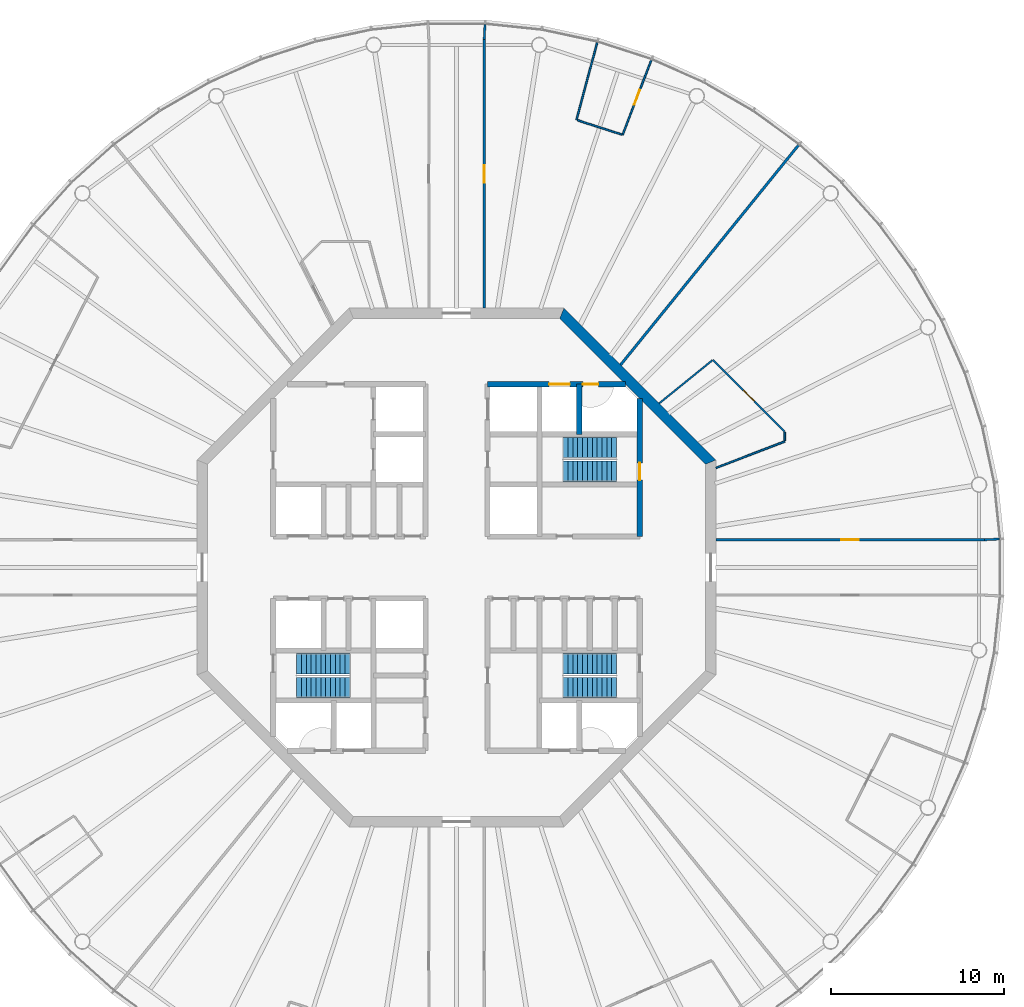
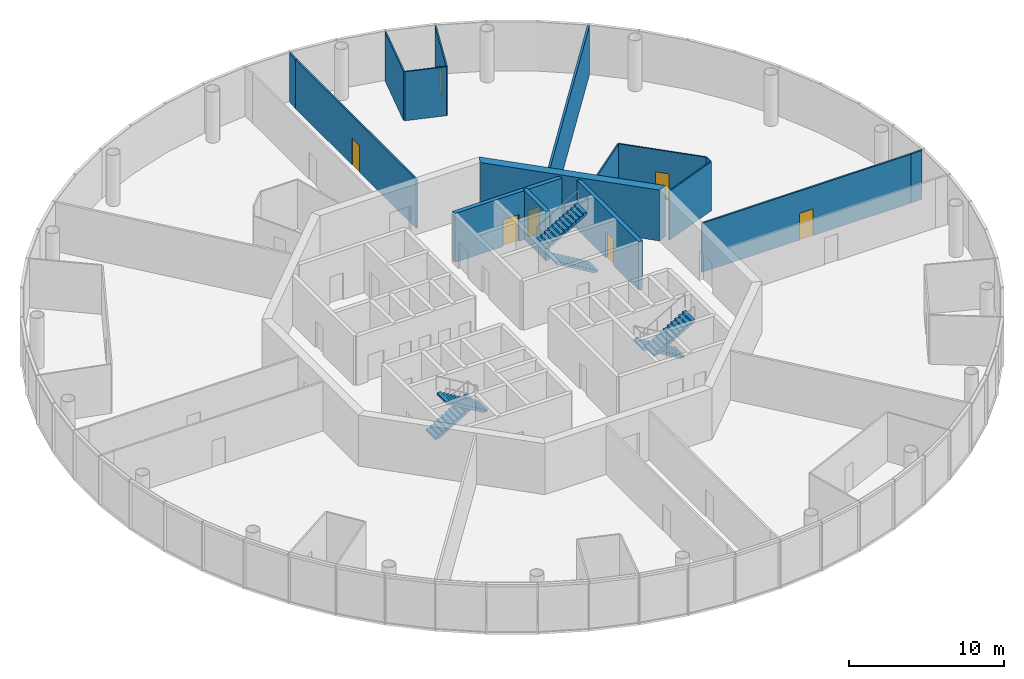
# One storey, part 6 of 13: 16 walls, 7 doors, 6 stair flights, 7 openings, 3 elements without a shape of their own.
"""IFC4 building model written with IfcOpenShell, lengths in metres."""

from ifc_helpers import new_model, si_unit, direction, frame, frame_2d, origin, place, context, subcontext, project, spatial, polyline, rectangle, outline, extrude, material, layer, layer_set, type_object, element, fill, aggregate, save


model = new_model("IFC4")

# Units and contexts
model_context = context("Model", 3, precision=1e-05, world=origin(), true_north=direction((0.0, 1.0)))
body_context = subcontext(model_context, "Body", "Model", "MODEL_VIEW")
ifc_project = project(units=[si_unit("LENGTHUNIT", "METRE"), si_unit("AREAUNIT", "SQUARE_METRE"), si_unit("VOLUMEUNIT", "CUBIC_METRE"), si_unit("PLANEANGLEUNIT", "RADIAN"), si_unit("MASSUNIT", "GRAM", prefix="KILO")], contexts=[model_context])

# Site, building, storey
site_placement = place(None, origin())
site = spatial("IfcSite", under=ifc_project, at=site_placement, CompositionType="ELEMENT")
building_placement = place(site_placement, origin())
building = spatial("IfcBuilding", under=site, at=building_placement, Name="Entoto Ring Tower", CompositionType="ELEMENT")
storey_placement = place(building_placement, frame((0.0, 0.0, 384.0)))
storey = spatial("IfcBuildingStorey", under=building, at=storey_placement, Name="L89", CompositionType="ELEMENT", Elevation=384.0)

# Wall, opening, door
ifc_material_1 = material(Name="Concrete C40/50", Category="concrete")
ifc_layer_1 = layer(ifc_material_1, 0.300048828125)
ifc_layer_set_1 = layer_set([ifc_layer_1], Name="Concrete C40/50")
wall_type_1 = type_object("IfcWallType", Name="Core enclosure wall 300 mm reinforced concrete", PredefinedType="SOLIDWALL", material=ifc_layer_set_1)
wall_1_placement = place(storey_placement, frame((100.60009765625, 81.800048828125, 0.0), z_axis=(0.0, 0.0, 1.0), x_axis=(0.0, 1.0, 0.0)))
wall_1 = element("IfcWall", 1, at=wall_1_placement, inside=storey, type_object=wall_type_1, Name="wall-L89-002", PredefinedType="SOLIDWALL", context=body_context, shape_type="SweptSolid", body=[
    extrude(rectangle(XDim=7.964599609375, YDim=0.300048828125, at=frame_2d((3.982421875, 0.0))), origin(), (0.0, 0.0, 1.0), 3.85009765625),
])
opening_1_placement = place(wall_1_placement, frame((3.25, 0.0, 0.0)))
opening_1 = element("IfcOpeningElement", 2, at=opening_1_placement, cuts=wall_1, Name="Opening K-29", PredefinedType="OPENING", context=body_context, shape_type="SweptSolid", body=[
    extrude(rectangle(XDim=1.0, YDim=2.10009765625, at=frame_2d((0.5, 1.050048828125))), frame((0.0, 0.16015625, 0.0), z_axis=(0.0, -1.0, 0.0), x_axis=(1.0, 0.0, 0.0)), (0.0, 0.0, 1.0), 0.320068359375),
])
ifc_material_2 = material(Name="Steel door leaf, fire rated", Category="steel")
ifc_layer_2 = layer(ifc_material_2, 0.050048828125)
ifc_layer_set_2 = layer_set([ifc_layer_2], Name="Steel door leaf, fire rated")
door_type_1 = type_object("IfcDoorType", Name="Fire door FD60 1000 x 2100 single leaf", OperationType="NOTDEFINED", PredefinedType="DOOR", material=ifc_layer_set_2)
door_1_placement = place(opening_1_placement, origin())
door_1 = element("IfcDoor", 3, at=door_1_placement, inside=storey, type_object=door_type_1, Name="Door K-29", OperationType="SINGLE_SWING_LEFT", OverallHeight=2.10009765625, OverallWidth=1.0, PredefinedType="DOOR", context=body_context, shape_type="SweptSolid", body=[
    extrude(rectangle(XDim=1.0, YDim=2.10009765625, at=frame_2d((0.5, 1.050048828125))), frame((0.0, 0.02490234375, 0.0), z_axis=(0.0, -1.0, 0.0), x_axis=(1.0, 0.0, 0.0)), (0.0, 0.0, 1.0), 0.050048828125),
])
fill(opening_1, door_1)

# Wall
wall_2_placement = place(storey_placement, frame((97.10009765625, 87.699951171875, 0.0), z_axis=(0.0, 0.0, 1.0), x_axis=(0.0, 1.0, 0.0)))
element("IfcWall", 4, at=wall_2_placement, inside=storey, type_object=wall_type_1, Name="wall-L89-006", PredefinedType="SOLIDWALL", context=body_context, shape_type="SweptSolid", body=[
    extrude(rectangle(XDim=2.900146484375, YDim=0.300048828125, at=frame_2d((1.4501953125, 0.0))), origin(), (0.0, 0.0, 1.0), 3.85009765625),
])

# Wall, openings, doors
wall_3_placement = place(storey_placement, frame((91.800048828125, 90.60009765625, 0.0), z_axis=(0.0, 0.0, 1.0), x_axis=(1.0, 0.0, 0.0)))
wall_3 = element("IfcWall", 5, at=wall_3_placement, inside=storey, type_object=wall_type_1, Name="wall-L89-041", PredefinedType="SOLIDWALL", context=body_context, shape_type="SweptSolid", body=[
    extrude(rectangle(XDim=7.964599609375, YDim=0.300048828125, at=frame_2d((3.982421875, 0.0))), origin(), (0.0, 0.0, 1.0), 3.85009765625),
])
opening_2_placement = place(wall_3_placement, frame((3.550048828125, 0.0, 0.0)))
opening_2 = element("IfcOpeningElement", 6, at=opening_2_placement, cuts=wall_3, Name="Opening LD", PredefinedType="OPENING", context=body_context, shape_type="SweptSolid", body=[
    extrude(rectangle(XDim=1.199951171875, YDim=2.10009765625, at=frame_2d((0.60009765625, 1.050048828125))), frame((0.0, 0.16015625, 0.0), z_axis=(0.0, -1.0, 0.0), x_axis=(1.0, 0.0, 0.0)), (0.0, 0.0, 1.0), 0.320068359375),
])
opening_3_placement = place(wall_3_placement, frame((5.5, 0.0, 0.0)))
opening_3 = element("IfcOpeningElement", 7, at=opening_3_placement, cuts=wall_3, Name="Opening K-32", PredefinedType="OPENING", context=body_context, shape_type="SweptSolid", body=[
    extrude(rectangle(XDim=0.89990234375, YDim=2.10009765625, at=frame_2d((0.449951171875, 1.050048828125))), frame((0.0, 0.16015625, 0.0), z_axis=(0.0, -1.0, 0.0), x_axis=(1.0, 0.0, 0.0)), (0.0, 0.0, 1.0), 0.320068359375),
])
ifc_material_3 = material(Name="Steel and glass door leaf", Category="steel")
ifc_layer_3 = layer(ifc_material_3, 0.050048828125)
ifc_layer_set_3 = layer_set([ifc_layer_3], Name="Steel and glass door leaf")
door_type_2 = type_object("IfcDoorType", Name="Landing door 1200 x 2100 sliding", OperationType="DOUBLE_DOOR_SLIDING", PredefinedType="DOOR", material=ifc_layer_set_3)
door_2_placement = place(opening_2_placement, origin())
door_2 = element("IfcDoor", 8, at=door_2_placement, inside=storey, type_object=door_type_2, Name="Landing door LB1-HR", OperationType="SLIDING_TO_RIGHT", OverallHeight=2.10009765625, OverallWidth=1.199951171875, PredefinedType="DOOR", context=body_context, shape_type="SweptSolid", body=[
    extrude(rectangle(XDim=1.199951171875, YDim=2.10009765625, at=frame_2d((0.60009765625, 1.050048828125))), frame((0.0, 0.02490234375, 0.0), z_axis=(0.0, -1.0, 0.0), x_axis=(1.0, 0.0, 0.0)), (0.0, 0.0, 1.0), 0.050048828125),
])
fill(opening_2, door_2)
ifc_material_4 = material(Name="Steel door leaf, fire rated", Category="steel")
ifc_layer_4 = layer(ifc_material_4, 0.050048828125)
ifc_layer_set_4 = layer_set([ifc_layer_4], Name="Steel door leaf, fire rated")
door_type_3 = type_object("IfcDoorType", Name="Riser door FD60 900 x 2100 single leaf", OperationType="NOTDEFINED", PredefinedType="DOOR", material=ifc_layer_set_4)
door_3_placement = place(opening_3_placement, frame((0.89990234375, 0.0, 0.0), z_axis=(0.0, 0.0, 1.0), x_axis=(-1.0, 0.0, 0.0)))
door_3 = element("IfcDoor", 9, at=door_3_placement, inside=storey, type_object=door_type_3, Name="Door K-32", OperationType="SINGLE_SWING_RIGHT", OverallHeight=2.10009765625, OverallWidth=0.89990234375, PredefinedType="DOOR", context=body_context, shape_type="SweptSolid", body=[
    extrude(rectangle(XDim=0.89990234375, YDim=2.10009765625, at=frame_2d((0.449951171875, 1.050048828125))), frame((0.0, 0.02490234375, 0.0), z_axis=(0.0, -1.0, 0.0), x_axis=(1.0, 0.0, 0.0)), (0.0, 0.0, 1.0), 0.050048828125),
])
fill(opening_3, door_3)

# Wall
ifc_material_5 = material(Name="Concrete C40/50", Category="concrete")
ifc_layer_5 = layer(ifc_material_5, 0.60009765625)
ifc_layer_set_5 = layer_set([ifc_layer_5], Name="Concrete C40/50")
wall_type_2 = type_object("IfcWallType", Name="Core shear wall 600 mm reinforced concrete C40/50", PredefinedType="SHEAR", material=ifc_layer_set_5)
wall_4_placement = place(storey_placement, frame((104.699951171875, 86.0888671875, 0.0), z_axis=(0.0, 0.0, 1.0), x_axis=(-0.707106781187, 0.707106781187, 0.0)))
element("IfcWall", 10, at=wall_4_placement, inside=storey, type_object=wall_type_2, Name="wall-L89-core-1", PredefinedType="SHEAR", context=body_context, shape_type="SweptSolid", body=[
    extrude(outline(polyline([(-0.124267578125, -0.300048828125), (12.30224609375, -0.300048828125), (12.0537109375, 0.300048828125), (0.124267578125, 0.300048828125), (-0.124267578125, -0.300048828125)])), origin(), (0.0, 0.0, 1.0), 4.0),
])

# Wall, opening, door
ifc_material_6 = material(Name="Fire-resisting plasterboard on steel studs", Category="steel")
ifc_layer_6 = layer(ifc_material_6, 0.125)
ifc_layer_set_6 = layer_set([ifc_layer_6], Name="Fire-resisting plasterboard on steel studs")
wall_type_3 = type_object("IfcWallType", Name="Corridor wall 125 mm one-hour plasterboard on steel studs", PredefinedType="PARTITIONING", material=ifc_layer_set_6)
wall_5_placement = place(storey_placement, frame((91.60009765625, 95.0, 0.0), z_axis=(0.0, 0.0, 1.0), x_axis=(0.0, 1.0, 0.0)))
wall_5 = element("IfcWall", 11, at=wall_5_placement, inside=storey, type_object=wall_type_3, Name="partition-L89-006", PredefinedType="PARTITIONING", context=body_context, shape_type="SweptSolid", body=[
    extrude(rectangle(XDim=15.52978515625, YDim=0.125, at=frame_2d((7.764892578125, 0.0))), origin(), (0.0, 0.0, 1.0), 3.85009765625),
])
opening_4_placement = place(wall_5_placement, frame((7.264892578125, 0.0, 0.0)))
opening_4 = element("IfcOpeningElement", 12, at=opening_4_placement, cuts=wall_5, Name="Opening A38-D03", PredefinedType="OPENING", context=body_context, shape_type="SweptSolid", body=[
    extrude(rectangle(XDim=1.0, YDim=2.10009765625, at=frame_2d((0.5, 1.050048828125))), frame((0.0, 0.072509765625, 0.0), z_axis=(0.0, -1.0, 0.0), x_axis=(1.0, 0.0, 0.0)), (0.0, 0.0, 1.0), 0.14501953125),
])
ifc_material_7 = material(Name="Fire-resisting timber door set", Category="wood")
door_type_4 = type_object("IfcDoorType", Name="Door 1000 x 2100 single leaf FD30S fire door", OperationType="NOTDEFINED", PredefinedType="DOOR", material=ifc_material_7)
door_4_placement = place(opening_4_placement, frame((1.0, 0.0, 0.0), z_axis=(0.0, 0.0, 1.0), x_axis=(-1.0, 0.0, 0.0)))
door_4 = element("IfcDoor", 13, at=door_4_placement, inside=storey, type_object=door_type_4, Name="Door A38-D03", OperationType="SINGLE_SWING_RIGHT", OverallHeight=2.10009765625, OverallWidth=1.0, PredefinedType="DOOR", context=body_context, shape_type="SweptSolid", body=[
    extrude(rectangle(XDim=1.0, YDim=2.10009765625, at=frame_2d((0.5, 1.050048828125))), frame((0.0, 0.02490234375, 0.0), z_axis=(0.0, -1.0, 0.0), x_axis=(1.0, 0.0, 0.0)), (0.0, 0.0, 1.0), 0.050048828125),
])
fill(opening_4, door_4)

wall_6_placement = place(storey_placement, frame((105.0, 81.60009765625, 0.0), z_axis=(0.0, 0.0, 1.0), x_axis=(1.0, 0.0, 0.0)))
wall_6 = element("IfcWall", 14, at=wall_6_placement, inside=storey, type_object=wall_type_3, Name="partition-L89-008", PredefinedType="PARTITIONING", context=body_context, shape_type="SweptSolid", body=[
    extrude(rectangle(XDim=15.52978515625, YDim=0.125, at=frame_2d((7.764892578125, 0.0))), origin(), (0.0, 0.0, 1.0), 3.85009765625),
])
opening_5_placement = place(wall_6_placement, frame((7.264892578125, 0.0, 0.0)))
opening_5 = element("IfcOpeningElement", 15, at=opening_5_placement, cuts=wall_6, Name="Opening A38-D01", PredefinedType="OPENING", context=body_context, shape_type="SweptSolid", body=[
    extrude(rectangle(XDim=1.0, YDim=2.10009765625, at=frame_2d((0.5, 1.050048828125))), frame((0.0, 0.072509765625, 0.0), z_axis=(0.0, -1.0, 0.0), x_axis=(1.0, 0.0, 0.0)), (0.0, 0.0, 1.0), 0.14501953125),
])
door_5_placement = place(opening_5_placement, origin())
door_5 = element("IfcDoor", 16, at=door_5_placement, inside=storey, type_object=door_type_4, Name="Door A38-D01", OperationType="SINGLE_SWING_LEFT", OverallHeight=2.10009765625, OverallWidth=1.0, PredefinedType="DOOR", context=body_context, shape_type="SweptSolid", body=[
    extrude(rectangle(XDim=1.0, YDim=2.10009765625, at=frame_2d((0.5, 1.050048828125))), frame((0.0, 0.02490234375, 0.0), z_axis=(0.0, -1.0, 0.0), x_axis=(1.0, 0.0, 0.0)), (0.0, 0.0, 1.0), 0.050048828125),
])
fill(opening_5, door_5)

# Walls
for number, where, z_axis, x_axis, name in (
    (17, (91.60009765625, 110.533203125, 0.0), (0.0, 0.0, 1.0), (0.052499574911, 0.998620946423, 0.0), "partition-L89-013"),
    (18, (120.533203125, 81.60009765625, 0.0), (0.0, 0.0, 1.0), (0.998620946423, 0.052499574911, 0.0), "partition-L89-015"),
):
    element("IfcWall", number, at=place(storey_placement, frame(where, z_axis=z_axis, x_axis=x_axis)), inside=storey, type_object=wall_type_3, Name=name, PredefinedType="PARTITIONING", context=body_context, shape_type="SweptSolid", body=[
        extrude(rectangle(XDim=0.864990234375, YDim=0.125, at=frame_2d((0.4326171875, 0.0))), origin(), (0.0, 0.0, 1.0), 3.85009765625),
    ])

# Wall, opening, door
ifc_material_8 = material(Name="Plasterboard on steel studs", Category="steel")
ifc_layer_7 = layer(ifc_material_8, 0.10009765625)
ifc_layer_set_7 = layer_set([ifc_layer_7], Name="Plasterboard on steel studs")
wall_type_4 = type_object("IfcWallType", Name="Partition 100 mm plasterboard on steel studs", PredefinedType="PARTITIONING", material=ifc_layer_set_7)
wall_7_placement = place(storey_placement, frame((108.97998046875, 87.86181640625, 0.0), z_axis=(0.0, 0.0, 1.0), x_axis=(-0.707106781187, 0.707106781187, 0.0)))
wall_7 = element("IfcWall", 19, at=wall_7_placement, inside=storey, type_object=wall_type_4, Name="partition-L89-023", PredefinedType="PARTITIONING", context=body_context, shape_type="SweptSolid", body=[
    extrude(rectangle(XDim=5.86669921875, YDim=0.10009765625, at=frame_2d((2.933349609375, 0.0))), origin(), (0.0, 0.0, 1.0), 3.85009765625),
])
opening_6_placement = place(wall_7_placement, frame((2.4833984375, 0.0, 0.0)))
opening_6 = element("IfcOpeningElement", 20, at=opening_6_placement, cuts=wall_7, Name="Opening A38-D02", PredefinedType="OPENING", context=body_context, shape_type="SweptSolid", body=[
    extrude(rectangle(XDim=0.89990234375, YDim=2.10009765625, at=frame_2d((0.449951171875, 1.050048828125))), frame((0.0, 0.06005859375, 0.0), z_axis=(0.0, -1.0, 0.0), x_axis=(1.0, 0.0, 0.0)), (0.0, 0.0, 1.0), 0.1201171875),
])
ifc_material_9 = material(Name="Veneered timber door leaf in timber frame", Category="wood")
door_type_5 = type_object("IfcDoorType", Name="Door 900 x 2100 single leaf timber veneer", OperationType="NOTDEFINED", PredefinedType="DOOR", material=ifc_material_9)
door_6_placement = place(opening_6_placement, origin())
door_6 = element("IfcDoor", 21, at=door_6_placement, inside=storey, type_object=door_type_5, Name="Door A38-D02", OperationType="SINGLE_SWING_RIGHT", OverallHeight=2.10009765625, OverallWidth=0.89990234375, PredefinedType="DOOR", context=body_context, shape_type="SweptSolid", body=[
    extrude(rectangle(XDim=0.89990234375, YDim=2.10009765625, at=frame_2d((0.449951171875, 1.050048828125))), frame((0.0, 0.02490234375, 0.0), z_axis=(0.0, -1.0, 0.0), x_axis=(1.0, 0.0, 0.0)), (0.0, 0.0, 1.0), 0.050048828125),
])
fill(opening_6, door_6)

wall_8_placement = place(storey_placement, frame((99.604248046875, 105.02001953125, 0.0), z_axis=(0.0, 0.0, 1.0), x_axis=(0.358372555023, 0.933578658607, 0.0)))
wall_8 = element("IfcWall", 22, at=wall_8_placement, inside=storey, type_object=wall_type_4, Name="partition-L89-029", PredefinedType="PARTITIONING", context=body_context, shape_type="SweptSolid", body=[
    extrude(rectangle(XDim=4.639892578125, YDim=0.10009765625, at=frame_2d((2.31982421875, 0.0))), origin(), (0.0, 0.0, 1.0), 3.85009765625),
])
opening_7_placement = place(wall_8_placement, frame((1.8701171875, 0.0, 0.0)))
opening_7 = element("IfcOpeningElement", 23, at=opening_7_placement, cuts=wall_8, Name="Opening A38-D04", PredefinedType="OPENING", context=body_context, shape_type="SweptSolid", body=[
    extrude(rectangle(XDim=0.89990234375, YDim=2.10009765625, at=frame_2d((0.449951171875, 1.050048828125))), frame((0.0, 0.06005859375, 0.0), z_axis=(0.0, -1.0, 0.0), x_axis=(1.0, 0.0, 0.0)), (0.0, 0.0, 1.0), 0.1201171875),
])
door_7_placement = place(opening_7_placement, origin())
door_7 = element("IfcDoor", 24, at=door_7_placement, inside=storey, type_object=door_type_5, Name="Door A38-D04", OperationType="SINGLE_SWING_RIGHT", OverallHeight=2.10009765625, OverallWidth=0.89990234375, PredefinedType="DOOR", context=body_context, shape_type="SweptSolid", body=[
    extrude(rectangle(XDim=0.89990234375, YDim=2.10009765625, at=frame_2d((0.449951171875, 1.050048828125))), frame((0.0, 0.02490234375, 0.0), z_axis=(0.0, -1.0, 0.0), x_axis=(1.0, 0.0, 0.0)), (0.0, 0.0, 1.0), 0.050048828125),
])
fill(opening_7, door_7)

# Walls
wall_9_placement = place(storey_placement, frame((96.936279296875, 105.88671875, 0.0), z_axis=(0.0, 0.0, 1.0), x_axis=(0.258818491613, 0.965925974596, 0.0)))
element("IfcWall", 25, at=wall_9_placement, inside=storey, type_object=wall_type_4, Name="partition-L89-030", PredefinedType="PARTITIONING", context=body_context, shape_type="SweptSolid", body=[
    extrude(rectangle(XDim=4.64013671875, YDim=0.10009765625, at=frame_2d((2.320068359375, 0.0))), origin(), (0.0, 0.0, 1.0), 3.85009765625),
])
wall_10_placement = place(storey_placement, frame((105.0, 85.758056640625, 0.0), z_axis=(0.0, 0.0, 1.0), x_axis=(0.933594824565, 0.358330439044, 0.0)))
element("IfcWall", 26, at=wall_10_placement, inside=storey, type_object=wall_type_4, Name="partition-L89-037", PredefinedType="PARTITIONING", context=body_context, shape_type="SweptSolid", body=[
    extrude(rectangle(XDim=4.26318359375, YDim=0.10009765625, at=frame_2d((2.131591796875, 0.0))), origin(), (0.0, 0.0, 1.0), 3.85009765625),
])
wall_11_placement = place(storey_placement, frame((101.721435546875, 89.49169921875, 0.0), z_axis=(0.0, 0.0, 1.0), x_axis=(0.77714272654, 0.629324385819, 0.0)))
element("IfcWall", 27, at=wall_11_placement, inside=storey, type_object=wall_type_4, Name="partition-L89-039", PredefinedType="PARTITIONING", context=body_context, shape_type="SweptSolid", body=[
    extrude(rectangle(XDim=3.952392578125, YDim=0.10009765625, at=frame_2d((1.97607421875, 0.0))), origin(), (0.0, 0.0, 1.0), 3.85009765625),
])
wall_12_placement = place(storey_placement, frame((99.556884765625, 105.035400390625, 0.0), z_axis=(0.0, 0.0, 1.0), x_axis=(-0.951065232996, 0.308990165839, 0.0)))
element("IfcWall", 28, at=wall_12_placement, inside=storey, type_object=wall_type_4, Name="partition-L89-042", PredefinedType="PARTITIONING", context=body_context, shape_type="SweptSolid", body=[
    extrude(rectangle(XDim=2.705322265625, YDim=0.10009765625, at=frame_2d((1.3525390625, 0.0))), origin(), (0.0, 0.0, 1.0), 3.85009765625),
])
wall_13_placement = place(storey_placement, frame((108.97998046875, 87.332275390625, 0.0), z_axis=(0.0, 0.0, 1.0), x_axis=(0.0, 1.0, 0.0)))
element("IfcWall", 29, at=wall_13_placement, inside=storey, type_object=wall_type_4, Name="partition-L89-046", PredefinedType="PARTITIONING", context=body_context, shape_type="SweptSolid", body=[
    extrude(rectangle(XDim=0.494384765625, YDim=0.10009765625, at=frame_2d((0.2470703125, 0.0))), origin(), (0.0, 0.0, 1.0), 3.85009765625),
])
ifc_material_10 = material(Name="Fire-resisting acoustic plasterboard on steel studs", Category="steel")
ifc_layer_8 = layer(ifc_material_10, 0.14990234375)
ifc_layer_set_8 = layer_set([ifc_layer_8], Name="Fire-resisting acoustic plasterboard on steel studs")
wall_type_5 = type_object("IfcWallType", Name="Party wall 150 mm one-hour acoustic plasterboard on steel studs", PredefinedType="PARTITIONING", material=ifc_layer_set_8)
wall_14_placement = place(storey_placement, frame((99.49169921875, 91.721435546875, 0.0), z_axis=(0.0, 0.0, 1.0), x_axis=(0.629323592667, 0.777143368827, 0.0)))
element("IfcWall", 30, at=wall_14_placement, inside=storey, type_object=wall_type_5, Name="partition-L89-019", PredefinedType="PARTITIONING", context=body_context, shape_type="SweptSolid", body=[
    extrude(rectangle(XDim=16.357666015625, YDim=0.14990234375, at=frame_2d((8.1787109375, 0.0))), origin(), (0.0, 0.0, 1.0), 3.85009765625),
])

# Stair, stair flights
ifc_material_11 = material(Name="Concrete C40/50", Category="concrete")
stair_type = type_object("IfcStairType", Name="Exit stair 1200 mm dog-leg reinforced concrete", PredefinedType="HALF_TURN_STAIR", material=ifc_material_11)
stair_1_placement = place(storey_placement, origin())
stair_1 = element("IfcStair", 31, at=stair_1_placement, inside=storey, type_object=stair_type, Name="Exit stair 1", PredefinedType="HALF_TURN_STAIR")
ifc_material_12 = material(Name="Concrete C40/50", Category="concrete")
stair_flight_type = type_object("IfcStairFlightType", Name="Stair flight 1200 mm reinforced concrete", PredefinedType="STRAIGHT", material=ifc_material_12)
stair_flight_1_placement = place(storey_placement, frame((99.25, 85.550048828125, 0.0), z_axis=(0.0, 0.0, 1.0), x_axis=(-1.0, 0.0, 0.0)))
stair_flight_1 = element("IfcStairFlight", 32, at=stair_flight_1_placement, type_object=stair_flight_type, Name="ST1 flight 1", NumberOfRisers=12, NumberOfTreads=11, PredefinedType="STRAIGHT", RiserHeight=0.166666667, TreadLength=0.28, context=body_context, shape_type="SweptSolid", body=[
    extrude(outline(polyline([(0.0, 0.0), (0.0, 0.166748046875), (0.280029296875, 0.166748046875), (0.280029296875, 0.333251953125), (0.56005859375, 0.333251953125), (0.56005859375, 0.5), (0.840087890625, 0.5), (0.840087890625, 0.666748046875), (1.1201171875, 0.666748046875), (1.1201171875, 0.833251953125), (1.39990234375, 0.833251953125), (1.39990234375, 1.0), (1.679931640625, 1.0), (1.679931640625, 1.166748046875), (1.9599609375, 1.166748046875), (1.9599609375, 1.333251953125), (2.239990234375, 1.333251953125), (2.239990234375, 1.5), (2.52001953125, 1.5), (2.52001953125, 1.666748046875), (2.800048828125, 1.666748046875), (2.800048828125, 1.833251953125), (3.080078125, 1.833251953125), (3.080078125, 2.0), (3.080078125, 1.658935546875), (0.29296875, 0.0), (0.0, 0.0)])), frame((0.0, 0.60009765625, 0.0), z_axis=(0.0, -1.0, 0.0), x_axis=(1.0, 0.0, 0.0)), (0.0, 0.0, 1.0), 1.199951171875),
])
stair_flight_2_placement = place(storey_placement, frame((96.169921875, 86.949951171875, 2.0), z_axis=(0.0, 0.0, 1.0), x_axis=(1.0, 0.0, 0.0)))
stair_flight_2 = element("IfcStairFlight", 33, at=stair_flight_2_placement, type_object=stair_flight_type, Name="ST1 flight 2", NumberOfRisers=12, NumberOfTreads=11, PredefinedType="STRAIGHT", RiserHeight=0.166666667, TreadLength=0.28, context=body_context, shape_type="SweptSolid", body=[
    extrude(outline(polyline([(0.0, 0.0), (0.0, 0.166748046875), (0.280029296875, 0.166748046875), (0.280029296875, 0.333251953125), (0.56005859375, 0.333251953125), (0.56005859375, 0.5), (0.840087890625, 0.5), (0.840087890625, 0.666748046875), (1.1201171875, 0.666748046875), (1.1201171875, 0.833251953125), (1.39990234375, 0.833251953125), (1.39990234375, 1.0), (1.679931640625, 1.0), (1.679931640625, 1.166748046875), (1.9599609375, 1.166748046875), (1.9599609375, 1.333251953125), (2.239990234375, 1.333251953125), (2.239990234375, 1.5), (2.52001953125, 1.5), (2.52001953125, 1.666748046875), (2.800048828125, 1.666748046875), (2.800048828125, 1.833251953125), (3.080078125, 1.833251953125), (3.080078125, 2.0), (3.080078125, 1.658935546875), (0.29296875, 0.0), (0.0, 0.0)])), frame((0.0, 0.60009765625, 0.0), z_axis=(0.0, -1.0, 0.0), x_axis=(1.0, 0.0, 0.0)), (0.0, 0.0, 1.0), 1.199951171875),
])
aggregate(stair_1, [stair_flight_1, stair_flight_2])

stair_2_placement = place(storey_placement, origin())
stair_2 = element("IfcStair", 34, at=stair_2_placement, inside=storey, type_object=stair_type, Name="Exit stair 2", PredefinedType="HALF_TURN_STAIR")
stair_flight_3_placement = place(storey_placement, frame((80.75, 74.449951171875, 0.0), z_axis=(0.0, 0.0, 1.0), x_axis=(1.0, 0.0, 0.0)))
stair_flight_3 = element("IfcStairFlight", 35, at=stair_flight_3_placement, type_object=stair_flight_type, Name="ST2 flight 1", NumberOfRisers=12, NumberOfTreads=11, PredefinedType="STRAIGHT", RiserHeight=0.166666667, TreadLength=0.28, context=body_context, shape_type="SweptSolid", body=[
    extrude(outline(polyline([(0.0, 0.0), (0.0, 0.166748046875), (0.280029296875, 0.166748046875), (0.280029296875, 0.333251953125), (0.56005859375, 0.333251953125), (0.56005859375, 0.5), (0.840087890625, 0.5), (0.840087890625, 0.666748046875), (1.1201171875, 0.666748046875), (1.1201171875, 0.833251953125), (1.39990234375, 0.833251953125), (1.39990234375, 1.0), (1.679931640625, 1.0), (1.679931640625, 1.166748046875), (1.9599609375, 1.166748046875), (1.9599609375, 1.333251953125), (2.239990234375, 1.333251953125), (2.239990234375, 1.5), (2.52001953125, 1.5), (2.52001953125, 1.666748046875), (2.800048828125, 1.666748046875), (2.800048828125, 1.833251953125), (3.080078125, 1.833251953125), (3.080078125, 2.0), (3.080078125, 1.658935546875), (0.29296875, 0.0), (0.0, 0.0)])), frame((0.0, 0.60009765625, 0.0), z_axis=(0.0, -1.0, 0.0), x_axis=(1.0, 0.0, 0.0)), (0.0, 0.0, 1.0), 1.199951171875),
])
stair_flight_4_placement = place(storey_placement, frame((83.830078125, 73.050048828125, 2.0), z_axis=(0.0, 0.0, 1.0), x_axis=(-1.0, 0.0, 0.0)))
stair_flight_4 = element("IfcStairFlight", 36, at=stair_flight_4_placement, type_object=stair_flight_type, Name="ST2 flight 2", NumberOfRisers=12, NumberOfTreads=11, PredefinedType="STRAIGHT", RiserHeight=0.166666667, TreadLength=0.28, context=body_context, shape_type="SweptSolid", body=[
    extrude(outline(polyline([(0.0, 0.0), (0.0, 0.166748046875), (0.280029296875, 0.166748046875), (0.280029296875, 0.333251953125), (0.56005859375, 0.333251953125), (0.56005859375, 0.5), (0.840087890625, 0.5), (0.840087890625, 0.666748046875), (1.1201171875, 0.666748046875), (1.1201171875, 0.833251953125), (1.39990234375, 0.833251953125), (1.39990234375, 1.0), (1.679931640625, 1.0), (1.679931640625, 1.166748046875), (1.9599609375, 1.166748046875), (1.9599609375, 1.333251953125), (2.239990234375, 1.333251953125), (2.239990234375, 1.5), (2.52001953125, 1.5), (2.52001953125, 1.666748046875), (2.800048828125, 1.666748046875), (2.800048828125, 1.833251953125), (3.080078125, 1.833251953125), (3.080078125, 2.0), (3.080078125, 1.658935546875), (0.29296875, 0.0), (0.0, 0.0)])), frame((0.0, 0.60009765625, 0.0), z_axis=(0.0, -1.0, 0.0), x_axis=(1.0, 0.0, 0.0)), (0.0, 0.0, 1.0), 1.199951171875),
])
aggregate(stair_2, [stair_flight_3, stair_flight_4])

stair_3_placement = place(storey_placement, origin())
stair_3 = element("IfcStair", 37, at=stair_3_placement, inside=storey, type_object=stair_type, Name="Exit stair 3", PredefinedType="HALF_TURN_STAIR")
stair_flight_5_placement = place(storey_placement, frame((99.25, 74.449951171875, 0.0), z_axis=(0.0, 0.0, 1.0), x_axis=(-1.0, 0.0, 0.0)))
stair_flight_5 = element("IfcStairFlight", 38, at=stair_flight_5_placement, type_object=stair_flight_type, Name="ST3 flight 1", NumberOfRisers=12, NumberOfTreads=11, PredefinedType="STRAIGHT", RiserHeight=0.166666667, TreadLength=0.28, context=body_context, shape_type="SweptSolid", body=[
    extrude(outline(polyline([(0.0, 0.0), (0.0, 0.166748046875), (0.280029296875, 0.166748046875), (0.280029296875, 0.333251953125), (0.56005859375, 0.333251953125), (0.56005859375, 0.5), (0.840087890625, 0.5), (0.840087890625, 0.666748046875), (1.1201171875, 0.666748046875), (1.1201171875, 0.833251953125), (1.39990234375, 0.833251953125), (1.39990234375, 1.0), (1.679931640625, 1.0), (1.679931640625, 1.166748046875), (1.9599609375, 1.166748046875), (1.9599609375, 1.333251953125), (2.239990234375, 1.333251953125), (2.239990234375, 1.5), (2.52001953125, 1.5), (2.52001953125, 1.666748046875), (2.800048828125, 1.666748046875), (2.800048828125, 1.833251953125), (3.080078125, 1.833251953125), (3.080078125, 2.0), (3.080078125, 1.658935546875), (0.29296875, 0.0), (0.0, 0.0)])), frame((0.0, 0.60009765625, 0.0), z_axis=(0.0, -1.0, 0.0), x_axis=(1.0, 0.0, 0.0)), (0.0, 0.0, 1.0), 1.199951171875),
])
stair_flight_6_placement = place(storey_placement, frame((96.169921875, 73.050048828125, 2.0), z_axis=(0.0, 0.0, 1.0), x_axis=(1.0, 0.0, 0.0)))
stair_flight_6 = element("IfcStairFlight", 39, at=stair_flight_6_placement, type_object=stair_flight_type, Name="ST3 flight 2", NumberOfRisers=12, NumberOfTreads=11, PredefinedType="STRAIGHT", RiserHeight=0.166666667, TreadLength=0.28, context=body_context, shape_type="SweptSolid", body=[
    extrude(outline(polyline([(0.0, 0.0), (0.0, 0.166748046875), (0.280029296875, 0.166748046875), (0.280029296875, 0.333251953125), (0.56005859375, 0.333251953125), (0.56005859375, 0.5), (0.840087890625, 0.5), (0.840087890625, 0.666748046875), (1.1201171875, 0.666748046875), (1.1201171875, 0.833251953125), (1.39990234375, 0.833251953125), (1.39990234375, 1.0), (1.679931640625, 1.0), (1.679931640625, 1.166748046875), (1.9599609375, 1.166748046875), (1.9599609375, 1.333251953125), (2.239990234375, 1.333251953125), (2.239990234375, 1.5), (2.52001953125, 1.5), (2.52001953125, 1.666748046875), (2.800048828125, 1.666748046875), (2.800048828125, 1.833251953125), (3.080078125, 1.833251953125), (3.080078125, 2.0), (3.080078125, 1.658935546875), (0.29296875, 0.0), (0.0, 0.0)])), frame((0.0, 0.60009765625, 0.0), z_axis=(0.0, -1.0, 0.0), x_axis=(1.0, 0.0, 0.0)), (0.0, 0.0, 1.0), 1.199951171875),
])
aggregate(stair_3, [stair_flight_5, stair_flight_6])

save(model, "model.ifc")
